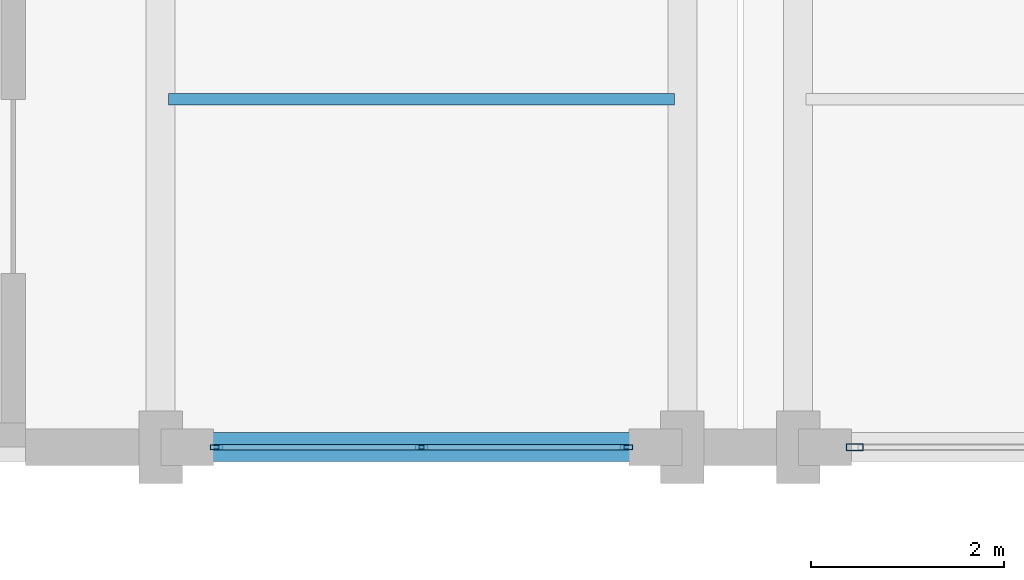
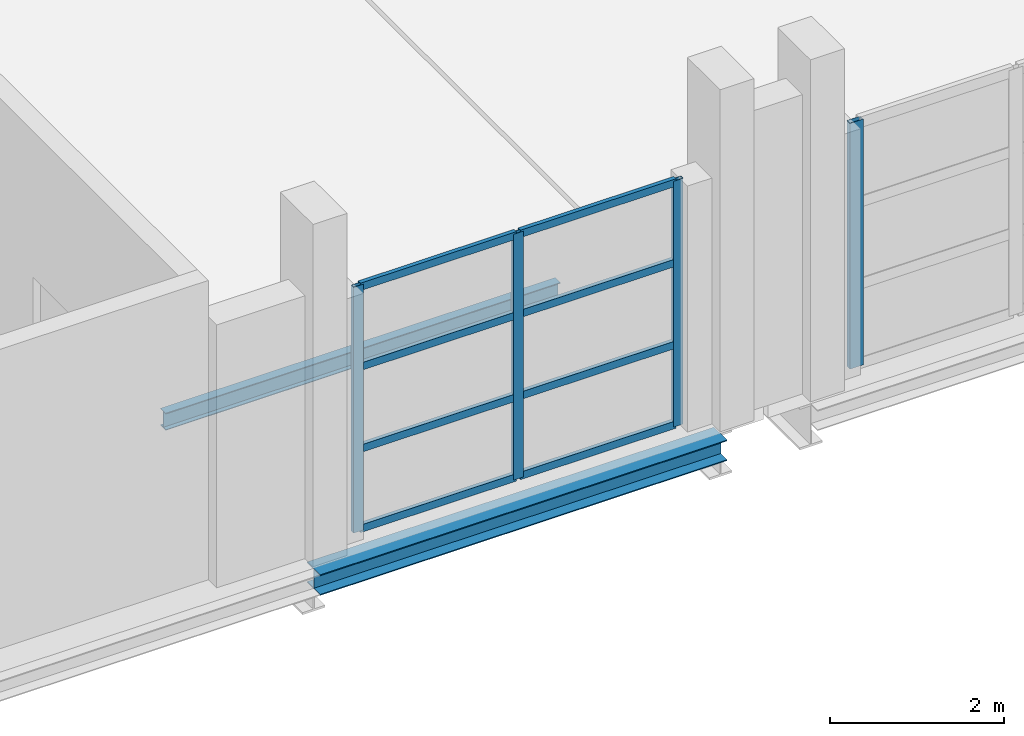
# One storey, part 31 of 86: 12 members, 2 beams, 2 elements without a shape of their own.
"""IFC4 building model written with IfcOpenShell, lengths in metres."""

from ifc_helpers import new_model, si_unit, direction, frame, origin, origin_2d, place, context, subcontext, project, spatial, hollow_rectangle, i_section, extrude, material, layer, layer_set, material_profile, profile_set, type_object, element, aggregate, save


model = new_model("IFC4")

# Units and contexts
model_context = context("Model", 3, precision=1e-05, world=origin(), true_north=direction((0.0, 1.0)))
body_context = subcontext(model_context, "Body", "Model", "MODEL_VIEW")
ifc_project = project(units=[si_unit("LENGTHUNIT", "METRE"), si_unit("AREAUNIT", "SQUARE_METRE"), si_unit("VOLUMEUNIT", "CUBIC_METRE"), si_unit("PLANEANGLEUNIT", "RADIAN"), si_unit("MASSUNIT", "GRAM", prefix="KILO")], contexts=[model_context])

# Site, building, storey
site_placement = place(None, origin())
site = spatial("IfcSite", under=ifc_project, at=site_placement, CompositionType="ELEMENT")
building_placement = place(site_placement, origin())
building = spatial("IfcBuilding", under=site, at=building_placement, Name="Zilviju Railside Exhibition Hall", CompositionType="ELEMENT")
storey_placement = place(building_placement, frame((0.0, 0.0, 12.60009765625)))
storey = spatial("IfcBuildingStorey", under=building, at=storey_placement, Name="L04", CompositionType="ELEMENT", Elevation=12.60009765625)

# Beams
ifc_material_1 = material(Name="Steel S355J2", Category="steel")
ifc_material_profile_1 = material_profile(ifc_material_1, i_section(OverallWidth=0.300048828125, OverallDepth=0.2900390625, WebThickness=0.008544921875, FlangeThickness=0.013916015625, at=origin_2d()), Name="HEA 300")
ifc_profile_set_1 = profile_set([ifc_material_profile_1], Name="Steel S355J2")
beam_type_1 = type_object("IfcBeamType", Name="BM-HEA300", PredefinedType="SPANDREL", material=ifc_profile_set_1)
beam_1_placement = place(storey_placement, frame((168.0, 84.0, -0.47509765625), z_axis=(1.0, 0.0, 0.0), x_axis=(0.0, 1.0, 0.0)))
element("IfcBeam", 1, at=beam_1_placement, inside=storey, type_object=beam_type_1, Name="Primary Girder L04 Y=84.0 (168.0..173.4)", PredefinedType="SPANDREL", context=body_context, shape_type="SweptSolid", body=[
    extrude(i_section(OverallWidth=0.300048828125, OverallDepth=0.2900390625, WebThickness=0.008544921875, FlangeThickness=0.013916015625, at=origin_2d()), origin(), (0.0, 0.0, 1.0), 5.39990234375),
])
ifc_material_profile_2 = material_profile(ifc_material_1, i_section(OverallWidth=0.1201171875, OverallDepth=0.239990234375, WebThickness=0.006103515625, FlangeThickness=0.009765625, at=origin_2d()), Name="IPE 240")
ifc_profile_set_2 = profile_set([ifc_material_profile_2], Name="Steel S355J2")
beam_type_2 = type_object("IfcBeamType", Name="BM-IPE240", PredefinedType="JOIST", material=ifc_profile_set_2)
beam_2_placement = place(storey_placement, frame((168.080078125, 87.60009765625, -0.4501953125), z_axis=(1.0, 0.0, 0.0), x_axis=(0.0, 1.0, 0.0)))
element("IfcBeam", 2, at=beam_2_placement, inside=storey, type_object=beam_type_2, Name="Composite Floor Joist L04 Y=87.60 (168.0..173.4)", PredefinedType="JOIST", context=body_context, shape_type="SweptSolid", body=[
    extrude(i_section(OverallWidth=0.1201171875, OverallDepth=0.239990234375, WebThickness=0.006103515625, FlangeThickness=0.009765625, at=origin_2d()), origin(), (0.0, 0.0, 1.0), 5.239990234375),
])

# Curtain wall, members
ifc_material_2 = material(Name="Thermally broken aluminium-steel triple-glazed curtain wall", Category="steel")
ifc_layer_1 = layer(ifc_material_2, 0.179931640625)
ifc_layer_set_1 = layer_set([ifc_layer_1], Name="Thermally broken aluminium-steel triple-glazed curtain wall")
curtain_wall_type_1 = type_object("IfcCurtainWallType", Name="CW-BAY-16", PredefinedType="USERDEFINED", material=ifc_layer_set_1)
curtain_wall_1_placement = place(storey_placement, origin())
curtain_wall_1 = element("IfcCurtainWall", 3, at=curtain_wall_1_placement, inside=storey, type_object=curtain_wall_type_1, Name="North Hall Garden Court Curtain Wall L04 (168..173)", ObjectType="GLAZED CURTAIN WALL", PredefinedType="USERDEFINED")
ifc_material_3 = material(Name="Thermally broken anodized aluminium mullion", Category="aluminium")
ifc_material_profile_3 = material_profile(ifc_material_3, hollow_rectangle(XDim=0.054931640625, YDim=0.1298828125, WallThickness=0.0048828125, at=origin_2d()), Name="MULLION 130x55x5")
ifc_profile_set_3 = profile_set([ifc_material_profile_3], Name="Thermally broken anodized aluminium mullion")
member_type_1 = type_object("IfcMemberType", Name="CWM-55x130", PredefinedType="MULLION", material=ifc_profile_set_3)
member_1_placement = place(storey_placement, frame((172.822509765625, 84.0, 0.0), z_axis=(0.0, 0.0, 1.0), x_axis=(0.0, -1.0, 0.0)))
member_1 = element("IfcMember", 4, at=member_1_placement, type_object=member_type_1, Name="CW-16 mullion 1", PredefinedType="MULLION", context=body_context, shape_type="SweptSolid", body=[
    extrude(hollow_rectangle(XDim=0.054931640625, YDim=0.1298828125, WallThickness=0.0048828125, at=origin_2d()), origin(), (0.0, 0.0, 1.0), 3.449951171875),
])
member_2_placement = place(storey_placement, frame((170.699951171875, 84.0, 0.0), z_axis=(0.0, 0.0, 1.0), x_axis=(0.0, -1.0, 0.0)))
member_2 = element("IfcMember", 5, at=member_2_placement, type_object=member_type_1, Name="CW-16 mullion 2", PredefinedType="MULLION", context=body_context, shape_type="SweptSolid", body=[
    extrude(hollow_rectangle(XDim=0.054931640625, YDim=0.1298828125, WallThickness=0.0048828125, at=origin_2d()), origin(), (0.0, 0.0, 1.0), 3.449951171875),
])
member_3_placement = place(storey_placement, frame((168.577392578125, 84.0, 0.0), z_axis=(0.0, 0.0, 1.0), x_axis=(0.0, -1.0, 0.0)))
member_3 = element("IfcMember", 6, at=member_3_placement, type_object=member_type_1, Name="CW-16 mullion 3", PredefinedType="MULLION", context=body_context, shape_type="SweptSolid", body=[
    extrude(hollow_rectangle(XDim=0.054931640625, YDim=0.1298828125, WallThickness=0.0048828125, at=origin_2d()), origin(), (0.0, 0.0, 1.0), 3.449951171875),
])

# Curtain wall, member
ifc_layer_2 = layer(ifc_material_2, 0.179931640625)
ifc_layer_set_2 = layer_set([ifc_layer_2], Name="Thermally broken aluminium-steel triple-glazed curtain wall")
curtain_wall_type_2 = type_object("IfcCurtainWallType", Name="CW-BAY-17", PredefinedType="USERDEFINED", material=ifc_layer_set_2)
curtain_wall_2_placement = place(storey_placement, origin())
curtain_wall_2 = element("IfcCurtainWall", 7, at=curtain_wall_2_placement, inside=storey, type_object=curtain_wall_type_2, Name="North Hall Garden Court Curtain Wall L04 (175..180)", ObjectType="GLAZED CURTAIN WALL", PredefinedType="USERDEFINED")
ifc_material_profile_4 = material_profile(ifc_material_3, hollow_rectangle(XDim=0.070068359375, YDim=0.179931640625, WallThickness=0.0048828125, at=origin_2d()), Name="MULLION 180x70x5")
ifc_profile_set_4 = profile_set([ifc_material_profile_4], Name="Thermally broken anodized aluminium mullion")
member_type_2 = type_object("IfcMemberType", Name="CWM-70x180", PredefinedType="MULLION", material=ifc_profile_set_4)
member_4_placement = place(storey_placement, frame((175.18505859375, 84.0, 0.0), z_axis=(0.0, 0.0, 1.0), x_axis=(0.0, -1.0, 0.0)))
member_4 = element("IfcMember", 8, at=member_4_placement, type_object=member_type_2, Name="CW-17 mullion 3", PredefinedType="MULLION", context=body_context, shape_type="SweptSolid", body=[
    extrude(hollow_rectangle(XDim=0.070068359375, YDim=0.179931640625, WallThickness=0.0048828125, at=origin_2d()), origin(), (0.0, 0.0, 1.0), 3.449951171875),
])
aggregate(curtain_wall_2, [member_4])

# Member
ifc_material_4 = material(Name="Thermally broken anodized aluminium transom", Category="aluminium")
ifc_material_profile_5 = material_profile(ifc_material_4, hollow_rectangle(XDim=0.054931640625, YDim=0.10498046875, WallThickness=0.0048828125, at=origin_2d()), Name="TRANSOM 105x55x5")
ifc_profile_set_5 = profile_set([ifc_material_profile_5], Name="Thermally broken anodized aluminium transom")
member_type_3 = type_object("IfcMemberType", Name="CWT-55x105", PredefinedType="USERDEFINED", material=ifc_profile_set_5)
member_5_placement = place(storey_placement, frame((172.794921875, 84.0, 0.02734375), z_axis=(-1.0, 0.0, 0.0), x_axis=(0.0, -1.0, 0.0)))
member_5 = element("IfcMember", 9, at=member_5_placement, type_object=member_type_3, Name="CW-16 transom 1.1", ObjectType="TRANSOM", PredefinedType="USERDEFINED", context=body_context, shape_type="SweptSolid", body=[
    extrude(hollow_rectangle(XDim=0.054931640625, YDim=0.10498046875, WallThickness=0.0048828125, at=origin_2d()), origin(), (0.0, 0.0, 1.0), 2.0673828125),
])

member_6_placement = place(storey_placement, frame((172.794921875, 84.0, 1.14990234375), z_axis=(-1.0, 0.0, 0.0), x_axis=(0.0, -1.0, 0.0)))
member_6 = element("IfcMember", 10, at=member_6_placement, type_object=member_type_3, Name="CW-16 transom 1.2", ObjectType="TRANSOM", PredefinedType="USERDEFINED", context=body_context, shape_type="SweptSolid", body=[
    extrude(hollow_rectangle(XDim=0.054931640625, YDim=0.10498046875, WallThickness=0.0048828125, at=origin_2d()), origin(), (0.0, 0.0, 1.0), 2.0673828125),
])

member_7_placement = place(storey_placement, frame((172.794921875, 84.0, 2.2998046875), z_axis=(-1.0, 0.0, 0.0), x_axis=(0.0, -1.0, 0.0)))
member_7 = element("IfcMember", 11, at=member_7_placement, type_object=member_type_3, Name="CW-16 transom 1.3", ObjectType="TRANSOM", PredefinedType="USERDEFINED", context=body_context, shape_type="SweptSolid", body=[
    extrude(hollow_rectangle(XDim=0.054931640625, YDim=0.10498046875, WallThickness=0.0048828125, at=origin_2d()), origin(), (0.0, 0.0, 1.0), 2.0673828125),
])

member_8_placement = place(storey_placement, frame((172.794921875, 84.0, 3.42236328125), z_axis=(-1.0, 0.0, 0.0), x_axis=(0.0, -1.0, 0.0)))
member_8 = element("IfcMember", 12, at=member_8_placement, type_object=member_type_3, Name="CW-16 transom 1.4", ObjectType="TRANSOM", PredefinedType="USERDEFINED", context=body_context, shape_type="SweptSolid", body=[
    extrude(hollow_rectangle(XDim=0.054931640625, YDim=0.10498046875, WallThickness=0.0048828125, at=origin_2d()), origin(), (0.0, 0.0, 1.0), 2.0673828125),
])

member_9_placement = place(storey_placement, frame((170.672607421875, 84.0, 0.02734375), z_axis=(-1.0, 0.0, 0.0), x_axis=(0.0, -1.0, 0.0)))
member_9 = element("IfcMember", 13, at=member_9_placement, type_object=member_type_3, Name="CW-16 transom 2.1", ObjectType="TRANSOM", PredefinedType="USERDEFINED", context=body_context, shape_type="SweptSolid", body=[
    extrude(hollow_rectangle(XDim=0.054931640625, YDim=0.10498046875, WallThickness=0.0048828125, at=origin_2d()), origin(), (0.0, 0.0, 1.0), 2.067626953125),
])

member_10_placement = place(storey_placement, frame((170.672607421875, 84.0, 1.14990234375), z_axis=(-1.0, 0.0, 0.0), x_axis=(0.0, -1.0, 0.0)))
member_10 = element("IfcMember", 14, at=member_10_placement, type_object=member_type_3, Name="CW-16 transom 2.2", ObjectType="TRANSOM", PredefinedType="USERDEFINED", context=body_context, shape_type="SweptSolid", body=[
    extrude(hollow_rectangle(XDim=0.054931640625, YDim=0.10498046875, WallThickness=0.0048828125, at=origin_2d()), origin(), (0.0, 0.0, 1.0), 2.067626953125),
])

member_11_placement = place(storey_placement, frame((170.672607421875, 84.0, 2.2998046875), z_axis=(-1.0, 0.0, 0.0), x_axis=(0.0, -1.0, 0.0)))
member_11 = element("IfcMember", 15, at=member_11_placement, type_object=member_type_3, Name="CW-16 transom 2.3", ObjectType="TRANSOM", PredefinedType="USERDEFINED", context=body_context, shape_type="SweptSolid", body=[
    extrude(hollow_rectangle(XDim=0.054931640625, YDim=0.10498046875, WallThickness=0.0048828125, at=origin_2d()), origin(), (0.0, 0.0, 1.0), 2.067626953125),
])

member_12_placement = place(storey_placement, frame((170.672607421875, 84.0, 3.42236328125), z_axis=(-1.0, 0.0, 0.0), x_axis=(0.0, -1.0, 0.0)))
member_12 = element("IfcMember", 16, at=member_12_placement, type_object=member_type_3, Name="CW-16 transom 2.4", ObjectType="TRANSOM", PredefinedType="USERDEFINED", context=body_context, shape_type="SweptSolid", body=[
    extrude(hollow_rectangle(XDim=0.054931640625, YDim=0.10498046875, WallThickness=0.0048828125, at=origin_2d()), origin(), (0.0, 0.0, 1.0), 2.067626953125),
])

aggregate(curtain_wall_1, [member_1, member_2, member_3, member_5, member_6, member_7, member_8, member_9, member_10, member_11, member_12])

save(model, "model.ifc")
